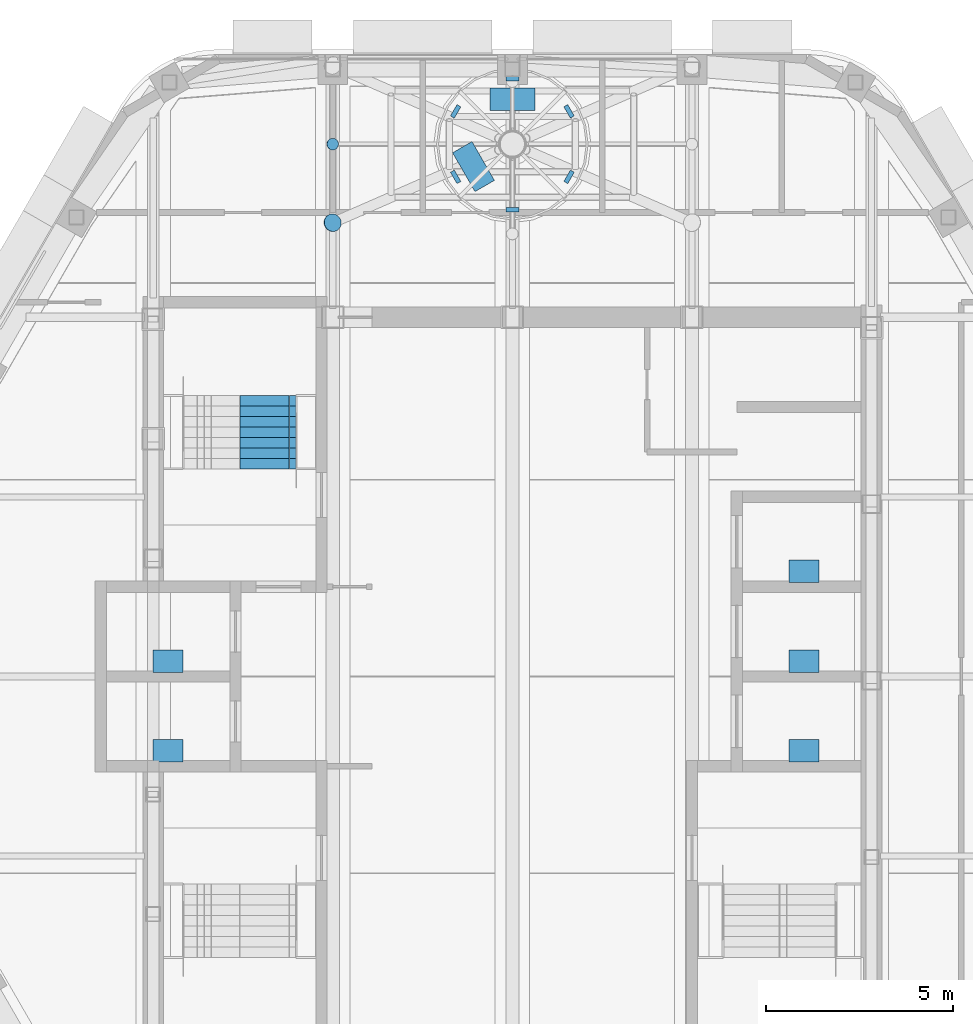
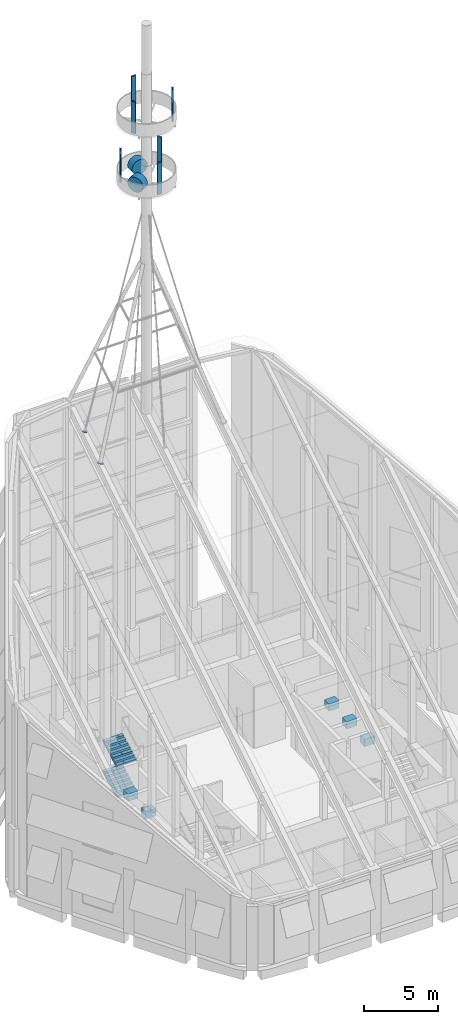
# One storey, part 14 of 25: 15 discrete accessories, 2 stair flights, 1 element without a shape of its own.
"""IFC4 building model written with IfcOpenShell, lengths in metres."""

from ifc_helpers import new_model, si_unit, direction, frame, origin, origin_2d, place, context, subcontext, project, spatial, polyline, rectangle, circle, outline, extrude, material, type_object, element, aggregate, save


model = new_model("IFC4")

# Units and contexts
model_context = context("Model", 3, precision=1e-05, world=origin(), true_north=direction((0.0, 1.0)))
body_context = subcontext(model_context, "Body", "Model", "MODEL_VIEW")
ifc_project = project(units=[si_unit("LENGTHUNIT", "METRE"), si_unit("AREAUNIT", "SQUARE_METRE"), si_unit("VOLUMEUNIT", "CUBIC_METRE"), si_unit("PLANEANGLEUNIT", "RADIAN"), si_unit("MASSUNIT", "GRAM", prefix="KILO")], contexts=[model_context])

# Site, building, storey
site_placement = place(None, origin())
site = spatial("IfcSite", under=ifc_project, at=site_placement, CompositionType="ELEMENT")
building_placement = place(site_placement, origin())
building = spatial("IfcBuilding", under=site, at=building_placement, Name="Kolab Exchange Tower", CompositionType="ELEMENT")
storey_placement = place(building_placement, frame((0.0, 0.0, 301.89990234375)))
storey = spatial("IfcBuildingStorey", under=building, at=storey_placement, Name="L68", CompositionType="ELEMENT", Elevation=301.89990234375)

# Stair, stair flights
ifc_material = material(Name="Concrete C50/60", Category="concrete")
stair_type = type_object("IfcStairType", Name="STAIR ST1 RISER 156.2", PredefinedType="DOUBLE_RETURN_STAIR", material=ifc_material)
stair_placement = place(storey_placement, origin())
stair = element("IfcStair", 1, at=stair_placement, inside=storey, type_object=stair_type, Name="Stair 1", PredefinedType="DOUBLE_RETURN_STAIR")
stair_flight_type = type_object("IfcStairFlightType", Name="STAIR FLIGHT 1500 RISER 156.2", PredefinedType="STRAIGHT", material=ifc_material)
stair_flight_1_placement = place(storey_placement, frame((-6.527587890625, 5.550048828125, 0.0), z_axis=(0.0, 0.0, 1.0), x_axis=(0.0, 1.0, 0.0)))
stair_flight_1 = element("IfcStairFlight", 2, at=stair_flight_1_placement, type_object=stair_flight_type, Name="ST1 flight 1", NumberOfRisers=8, NumberOfTreads=7, PredefinedType="STRAIGHT", RiserHeight=0.15625, TreadLength=0.28, context=body_context, shape_type="SweptSolid", body=[
    extrude(outline(polyline([(0.0, 0.0), (0.0, 0.15625), (0.280029296875, 0.15625), (0.280029296875, 0.3125), (0.56005859375, 0.3125), (0.56005859375, 0.46875), (0.840087890625, 0.46875), (0.840087890625, 0.625), (1.1201171875, 0.625), (1.1201171875, 0.78125), (1.39990234375, 0.78125), (1.39990234375, 0.9375), (1.679931640625, 0.9375), (1.679931640625, 1.09375), (1.9599609375, 1.09375), (1.9599609375, 1.25), (1.9599609375, 0.922119140625), (0.3076171875, 0.0), (0.0, 0.0)])), frame((0.0, 0.75, 0.0), z_axis=(0.0, -1.0, 0.0), x_axis=(1.0, 0.0, 0.0)), (0.0, 0.0, 1.0), 0.185791015625),
    extrude(outline(polyline([(0.0, 0.0), (0.0, 0.15625), (0.280029296875, 0.15625), (0.280029296875, 0.3125), (0.56005859375, 0.3125), (0.56005859375, 0.46875), (0.840087890625, 0.46875), (0.840087890625, 0.625), (1.1201171875, 0.625), (1.1201171875, 0.78125), (1.39990234375, 0.78125), (1.39990234375, 0.9375), (1.679931640625, 0.9375), (1.679931640625, 1.09375), (1.9599609375, 1.09375), (1.9599609375, 1.25), (1.9599609375, 0.922119140625), (0.3076171875, 0.0), (0.0, 0.0)])), frame((0.0, 0.562255859375, 0.0), z_axis=(0.0, -1.0, 0.0), x_axis=(1.0, 0.0, 0.0)), (0.0, 0.0, 1.0), 0.185791015625),
    extrude(outline(polyline([(0.0, 0.0), (0.0, 0.15625), (0.280029296875, 0.15625), (0.280029296875, 0.3125), (0.56005859375, 0.3125), (0.56005859375, 0.46875), (0.840087890625, 0.46875), (0.840087890625, 0.625), (1.1201171875, 0.625), (1.1201171875, 0.78125), (1.39990234375, 0.78125), (1.39990234375, 0.9375), (1.679931640625, 0.9375), (1.679931640625, 1.09375), (1.9599609375, 1.09375), (1.9599609375, 1.25), (1.9599609375, 0.922119140625), (0.3076171875, 0.0), (0.0, 0.0)])), frame((0.0, 0.37451171875, 0.0), z_axis=(0.0, -1.0, 0.0), x_axis=(1.0, 0.0, 0.0)), (0.0, 0.0, 1.0), 0.185791015625),
    extrude(outline(polyline([(0.0, 0.0), (0.0, 0.15625), (0.280029296875, 0.15625), (0.280029296875, 0.3125), (0.56005859375, 0.3125), (0.56005859375, 0.46875), (0.840087890625, 0.46875), (0.840087890625, 0.625), (1.1201171875, 0.625), (1.1201171875, 0.78125), (1.39990234375, 0.78125), (1.39990234375, 0.9375), (1.679931640625, 0.9375), (1.679931640625, 1.09375), (1.9599609375, 1.09375), (1.9599609375, 1.25), (1.9599609375, 0.922119140625), (0.3076171875, 0.0), (0.0, 0.0)])), frame((0.0, 0.186767578125, 0.0), z_axis=(0.0, -1.0, 0.0), x_axis=(1.0, 0.0, 0.0)), (0.0, 0.0, 1.0), 0.185791015625),
    extrude(outline(polyline([(0.0, 0.0), (0.0, 0.15625), (0.280029296875, 0.15625), (0.280029296875, 0.3125), (0.56005859375, 0.3125), (0.56005859375, 0.46875), (0.840087890625, 0.46875), (0.840087890625, 0.625), (1.1201171875, 0.625), (1.1201171875, 0.78125), (1.39990234375, 0.78125), (1.39990234375, 0.9375), (1.679931640625, 0.9375), (1.679931640625, 1.09375), (1.9599609375, 1.09375), (1.9599609375, 1.25), (1.9599609375, 0.922119140625), (0.3076171875, 0.0), (0.0, 0.0)])), frame((0.0, -0.0009765625, 0.0), z_axis=(0.0, -1.0, 0.0), x_axis=(1.0, 0.0, 0.0)), (0.0, 0.0, 1.0), 0.185791015625),
    extrude(outline(polyline([(0.0, 0.0), (0.0, 0.15625), (0.280029296875, 0.15625), (0.280029296875, 0.3125), (0.56005859375, 0.3125), (0.56005859375, 0.46875), (0.840087890625, 0.46875), (0.840087890625, 0.625), (1.1201171875, 0.625), (1.1201171875, 0.78125), (1.39990234375, 0.78125), (1.39990234375, 0.9375), (1.679931640625, 0.9375), (1.679931640625, 1.09375), (1.9599609375, 1.09375), (1.9599609375, 1.25), (1.9599609375, 0.922119140625), (0.3076171875, 0.0), (0.0, 0.0)])), frame((0.0, -0.188720703125, 0.0), z_axis=(0.0, -1.0, 0.0), x_axis=(1.0, 0.0, 0.0)), (0.0, 0.0, 1.0), 0.185791015625),
    extrude(outline(polyline([(0.0, 0.0), (0.0, 0.15625), (0.280029296875, 0.15625), (0.280029296875, 0.3125), (0.56005859375, 0.3125), (0.56005859375, 0.46875), (0.840087890625, 0.46875), (0.840087890625, 0.625), (1.1201171875, 0.625), (1.1201171875, 0.78125), (1.39990234375, 0.78125), (1.39990234375, 0.9375), (1.679931640625, 0.9375), (1.679931640625, 1.09375), (1.9599609375, 1.09375), (1.9599609375, 1.25), (1.9599609375, 0.922119140625), (0.3076171875, 0.0), (0.0, 0.0)])), frame((0.0, -0.37646484375, 0.0), z_axis=(0.0, -1.0, 0.0), x_axis=(1.0, 0.0, 0.0)), (0.0, 0.0, 1.0), 0.185791015625),
    extrude(outline(polyline([(0.0, 0.0), (0.0, 0.15625), (0.280029296875, 0.15625), (0.280029296875, 0.3125), (0.56005859375, 0.3125), (0.56005859375, 0.46875), (0.840087890625, 0.46875), (0.840087890625, 0.625), (1.1201171875, 0.625), (1.1201171875, 0.78125), (1.39990234375, 0.78125), (1.39990234375, 0.9375), (1.679931640625, 0.9375), (1.679931640625, 1.09375), (1.9599609375, 1.09375), (1.9599609375, 1.25), (1.9599609375, 0.922119140625), (0.3076171875, 0.0), (0.0, 0.0)])), frame((0.0, -0.564208984375, 0.0), z_axis=(0.0, -1.0, 0.0), x_axis=(1.0, 0.0, 0.0)), (0.0, 0.0, 1.0), 0.185791015625),
])
stair_flight_2_placement = place(storey_placement, frame((-6.527587890625, 5.550048828125, 2.5), z_axis=(0.0, 0.0, 1.0), x_axis=(0.0, 1.0, 0.0)))
stair_flight_2 = element("IfcStairFlight", 3, at=stair_flight_2_placement, type_object=stair_flight_type, Name="ST1 flight 3", NumberOfRisers=8, NumberOfTreads=7, PredefinedType="STRAIGHT", RiserHeight=0.15625, TreadLength=0.28, context=body_context, shape_type="SweptSolid", body=[
    extrude(outline(polyline([(0.0, 0.0), (0.0, 0.15625), (0.280029296875, 0.15625), (0.280029296875, 0.3125), (0.56005859375, 0.3125), (0.56005859375, 0.46875), (0.840087890625, 0.46875), (0.840087890625, 0.625), (1.1201171875, 0.625), (1.1201171875, 0.78125), (1.39990234375, 0.78125), (1.39990234375, 0.9375), (1.679931640625, 0.9375), (1.679931640625, 1.09375), (1.9599609375, 1.09375), (1.9599609375, 1.25), (1.9599609375, 0.922119140625), (0.3076171875, 0.0), (0.0, 0.0)])), frame((0.0, 0.75, 0.0), z_axis=(0.0, -1.0, 0.0), x_axis=(1.0, 0.0, 0.0)), (0.0, 0.0, 1.0), 0.185791015625),
    extrude(outline(polyline([(0.0, 0.0), (0.0, 0.15625), (0.280029296875, 0.15625), (0.280029296875, 0.3125), (0.56005859375, 0.3125), (0.56005859375, 0.46875), (0.840087890625, 0.46875), (0.840087890625, 0.625), (1.1201171875, 0.625), (1.1201171875, 0.78125), (1.39990234375, 0.78125), (1.39990234375, 0.9375), (1.679931640625, 0.9375), (1.679931640625, 1.09375), (1.9599609375, 1.09375), (1.9599609375, 1.25), (1.9599609375, 0.922119140625), (0.3076171875, 0.0), (0.0, 0.0)])), frame((0.0, 0.562255859375, 0.0), z_axis=(0.0, -1.0, 0.0), x_axis=(1.0, 0.0, 0.0)), (0.0, 0.0, 1.0), 0.185791015625),
    extrude(outline(polyline([(0.0, 0.0), (0.0, 0.15625), (0.280029296875, 0.15625), (0.280029296875, 0.3125), (0.56005859375, 0.3125), (0.56005859375, 0.46875), (0.840087890625, 0.46875), (0.840087890625, 0.625), (1.1201171875, 0.625), (1.1201171875, 0.78125), (1.39990234375, 0.78125), (1.39990234375, 0.9375), (1.679931640625, 0.9375), (1.679931640625, 1.09375), (1.9599609375, 1.09375), (1.9599609375, 1.25), (1.9599609375, 0.922119140625), (0.3076171875, 0.0), (0.0, 0.0)])), frame((0.0, 0.37451171875, 0.0), z_axis=(0.0, -1.0, 0.0), x_axis=(1.0, 0.0, 0.0)), (0.0, 0.0, 1.0), 0.185791015625),
    extrude(outline(polyline([(0.0, 0.0), (0.0, 0.15625), (0.280029296875, 0.15625), (0.280029296875, 0.3125), (0.56005859375, 0.3125), (0.56005859375, 0.46875), (0.840087890625, 0.46875), (0.840087890625, 0.625), (1.1201171875, 0.625), (1.1201171875, 0.78125), (1.39990234375, 0.78125), (1.39990234375, 0.9375), (1.679931640625, 0.9375), (1.679931640625, 1.09375), (1.9599609375, 1.09375), (1.9599609375, 1.25), (1.9599609375, 0.922119140625), (0.3076171875, 0.0), (0.0, 0.0)])), frame((0.0, 0.186767578125, 0.0), z_axis=(0.0, -1.0, 0.0), x_axis=(1.0, 0.0, 0.0)), (0.0, 0.0, 1.0), 0.185791015625),
    extrude(outline(polyline([(0.0, 0.0), (0.0, 0.15625), (0.280029296875, 0.15625), (0.280029296875, 0.3125), (0.56005859375, 0.3125), (0.56005859375, 0.46875), (0.840087890625, 0.46875), (0.840087890625, 0.625), (1.1201171875, 0.625), (1.1201171875, 0.78125), (1.39990234375, 0.78125), (1.39990234375, 0.9375), (1.679931640625, 0.9375), (1.679931640625, 1.09375), (1.9599609375, 1.09375), (1.9599609375, 1.25), (1.9599609375, 0.922119140625), (0.3076171875, 0.0), (0.0, 0.0)])), frame((0.0, -0.0009765625, 0.0), z_axis=(0.0, -1.0, 0.0), x_axis=(1.0, 0.0, 0.0)), (0.0, 0.0, 1.0), 0.185791015625),
    extrude(outline(polyline([(0.0, 0.0), (0.0, 0.15625), (0.280029296875, 0.15625), (0.280029296875, 0.3125), (0.56005859375, 0.3125), (0.56005859375, 0.46875), (0.840087890625, 0.46875), (0.840087890625, 0.625), (1.1201171875, 0.625), (1.1201171875, 0.78125), (1.39990234375, 0.78125), (1.39990234375, 0.9375), (1.679931640625, 0.9375), (1.679931640625, 1.09375), (1.9599609375, 1.09375), (1.9599609375, 1.25), (1.9599609375, 0.922119140625), (0.3076171875, 0.0), (0.0, 0.0)])), frame((0.0, -0.188720703125, 0.0), z_axis=(0.0, -1.0, 0.0), x_axis=(1.0, 0.0, 0.0)), (0.0, 0.0, 1.0), 0.185791015625),
    extrude(outline(polyline([(0.0, 0.0), (0.0, 0.15625), (0.280029296875, 0.15625), (0.280029296875, 0.3125), (0.56005859375, 0.3125), (0.56005859375, 0.46875), (0.840087890625, 0.46875), (0.840087890625, 0.625), (1.1201171875, 0.625), (1.1201171875, 0.78125), (1.39990234375, 0.78125), (1.39990234375, 0.9375), (1.679931640625, 0.9375), (1.679931640625, 1.09375), (1.9599609375, 1.09375), (1.9599609375, 1.25), (1.9599609375, 0.922119140625), (0.3076171875, 0.0), (0.0, 0.0)])), frame((0.0, -0.37646484375, 0.0), z_axis=(0.0, -1.0, 0.0), x_axis=(1.0, 0.0, 0.0)), (0.0, 0.0, 1.0), 0.185791015625),
    extrude(outline(polyline([(0.0, 0.0), (0.0, 0.15625), (0.280029296875, 0.15625), (0.280029296875, 0.3125), (0.56005859375, 0.3125), (0.56005859375, 0.46875), (0.840087890625, 0.46875), (0.840087890625, 0.625), (1.1201171875, 0.625), (1.1201171875, 0.78125), (1.39990234375, 0.78125), (1.39990234375, 0.9375), (1.679931640625, 0.9375), (1.679931640625, 1.09375), (1.9599609375, 1.09375), (1.9599609375, 1.25), (1.9599609375, 0.922119140625), (0.3076171875, 0.0), (0.0, 0.0)])), frame((0.0, -0.564208984375, 0.0), z_axis=(0.0, -1.0, 0.0), x_axis=(1.0, 0.0, 0.0)), (0.0, 0.0, 1.0), 0.185791015625),
])
aggregate(stair, [stair_flight_1, stair_flight_2])

# Discrete accessories
for number, where, z_axis, x_axis, name in (
    (4, (1.515380859375, 15.102783203125, 42.83056640625), (0.0, 0.0, 1.0), (-0.5, 0.866025403784, 0.0), "Panel antenna"),
    (5, (-1.515380859375, 15.102783203125, 42.83056640625), (0.0, 0.0, 1.0), (-0.5, -0.866025403784, 0.0), "Panel antenna"),
    (6, (0.0, 12.477783203125, 42.83056640625), (0.0, 0.0, 1.0), (1.0, 0.0, 0.0), "Panel antenna"),
):
    element("IfcDiscreteAccessory", number, at=place(storey_placement, frame(where, z_axis=z_axis, x_axis=x_axis)), inside=storey, Name=name, ObjectType="PANEL ANTENNA", PredefinedType="USERDEFINED", context=body_context, shape_type="SweptSolid", body=[
        extrude(rectangle(XDim=0.35009765625, YDim=0.1201171875, at=origin_2d()), origin(), (0.0, 0.0, 1.0), 2.60009765625),
    ])
for number, where, z_axis, x_axis, name in (
    (7, (0.0, 15.127685546875, 43.4287109375), (0.0, 1.0, 0.0), (-1.0, 0.0, 0.0), "Dish antenna"),
    (8, (-0.779296875, 13.777587890625, 43.4287109375), (-0.866232998003, -0.499640263761, 0.0), (0.499640263761, -0.866232998003, 0.0), "Dish antenna"),
):
    element("IfcDiscreteAccessory", number, at=place(storey_placement, frame(where, z_axis=z_axis, x_axis=x_axis)), inside=storey, Name=name, ObjectType="DISH ANTENNA", PredefinedType="USERDEFINED", context=body_context, shape_type="SweptSolid", body=[
        extrude(circle(Radius=0.60009765625, at=origin_2d()), origin(), (0.0, 0.0, 1.0), 0.60009765625),
    ])
for number, where, z_axis, x_axis, name in (
    (9, (0.0, 15.977783203125, 47.83056640625), (0.0, 0.0, 1.0), (-1.0, 0.0, 0.0), "Panel antenna"),
    (10, (-1.515380859375, 13.352783203125, 47.83056640625), (0.0, 0.0, 1.0), (0.5, -0.866025403784, 0.0), "Panel antenna"),
    (11, (1.515380859375, 13.352783203125, 47.83056640625), (0.0, 0.0, 1.0), (0.5, 0.866025403784, 0.0), "Panel antenna"),
):
    element("IfcDiscreteAccessory", number, at=place(storey_placement, frame(where, z_axis=z_axis, x_axis=x_axis)), inside=storey, Name=name, ObjectType="PANEL ANTENNA", PredefinedType="USERDEFINED", context=body_context, shape_type="SweptSolid", body=[
        extrude(rectangle(XDim=0.35009765625, YDim=0.1201171875, at=origin_2d()), origin(), (0.0, 0.0, 1.0), 2.60009765625),
    ])
for number, where, z_axis, x_axis, name in (
    (12, (-9.199951171875, -1.989990234375, 3.800048828125), (0.0, 0.0, 1.0), (1.0, 0.0, 0.0), "Lift machine FF1"),
    (13, (-9.199951171875, 0.409912109375, 3.800048828125), (0.0, 0.0, 1.0), (1.0, 0.0, 0.0), "Lift machine FF2"),
    (14, (7.800048828125, -1.989990234375, 3.800048828125), (0.0, 0.0, 1.0), (1.0, 0.0, 0.0), "Lift machine SV1"),
    (15, (7.800048828125, 0.409912109375, 3.800048828125), (0.0, 0.0, 1.0), (1.0, 0.0, 0.0), "Lift machine SV2"),
    (16, (7.800048828125, 2.81005859375, 3.800048828125), (0.0, 0.0, 1.0), (1.0, 0.0, 0.0), "Lift machine SV3"),
):
    element("IfcDiscreteAccessory", number, at=place(storey_placement, frame(where, z_axis=z_axis, x_axis=x_axis)), inside=storey, Name=name, ObjectType="LIFT MACHINE", PredefinedType="USERDEFINED", context=body_context, shape_type="SweptSolid", body=[
        extrude(rectangle(XDim=0.800048828125, YDim=0.60009765625, at=origin_2d()), origin(), (0.0, 0.0, 1.0), 0.60009765625),
    ])
discrete_accessory_1_placement = place(storey_placement, frame((-4.800048828125, 12.127685546875, 22.643798828125), z_axis=(-0.301582676133, -0.136198627931, -0.943661922092), x_axis=(0.411586722426, -0.911370599659, 0.0)))
element("IfcDiscreteAccessory", 17, at=discrete_accessory_1_placement, inside=storey, Name="Gusset plate", ObjectType="GUSSET PLATE", PredefinedType="USERDEFINED", context=body_context, shape_type="SweptSolid", body=[
    extrude(circle(Radius=0.236572265625, at=origin_2d()), origin(), (0.0, 0.0, 1.0), 0.025146484375),
])
discrete_accessory_2_placement = place(storey_placement, frame((-4.800048828125, 14.227783203125, 23.955810546875), z_axis=(-0.256434699025, 0.0, -0.966561557862), x_axis=(0.0, -1.0, 0.0)))
element("IfcDiscreteAccessory", 18, at=discrete_accessory_2_placement, inside=storey, Name="Gusset plate", ObjectType="GUSSET PLATE", PredefinedType="USERDEFINED", context=body_context, shape_type="SweptSolid", body=[
    extrude(circle(Radius=0.156982421875, at=origin_2d()), origin(), (0.0, 0.0, 1.0), 0.024658203125),
])

save(model, "model.ifc")
